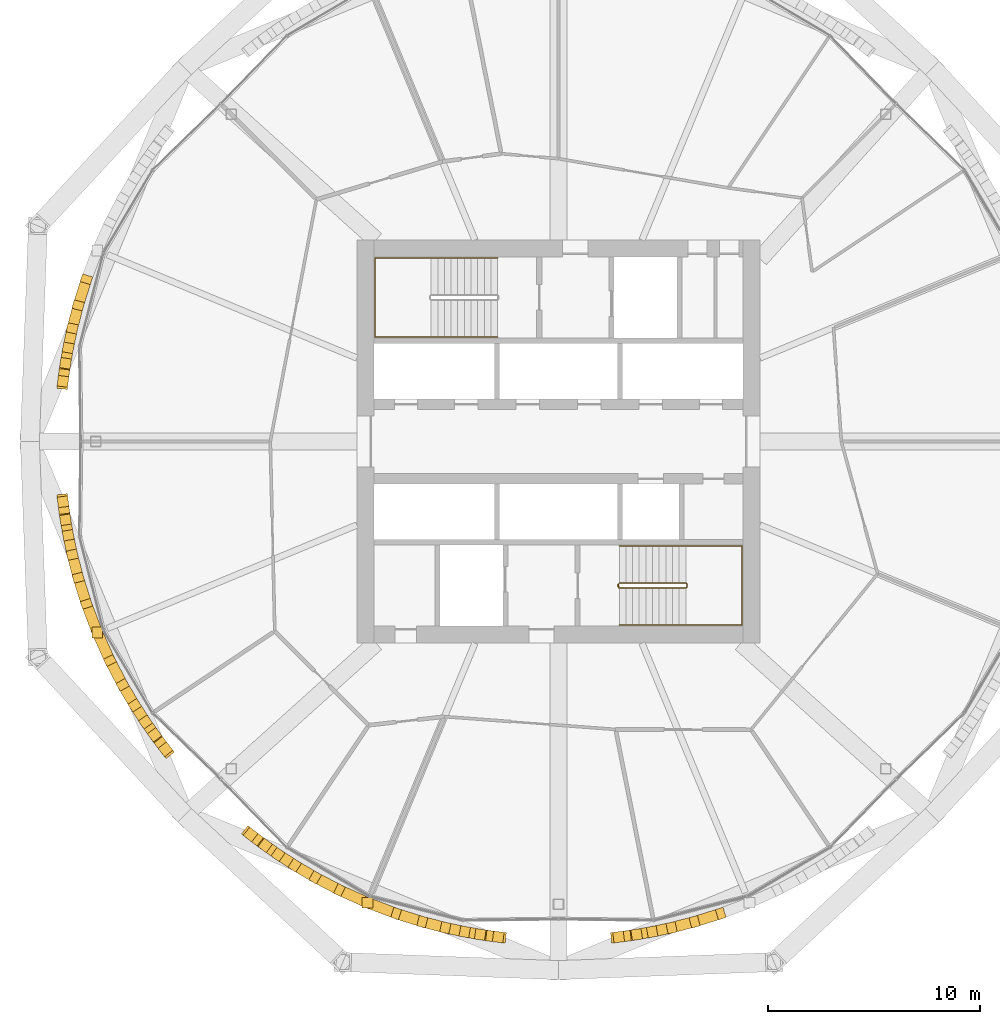
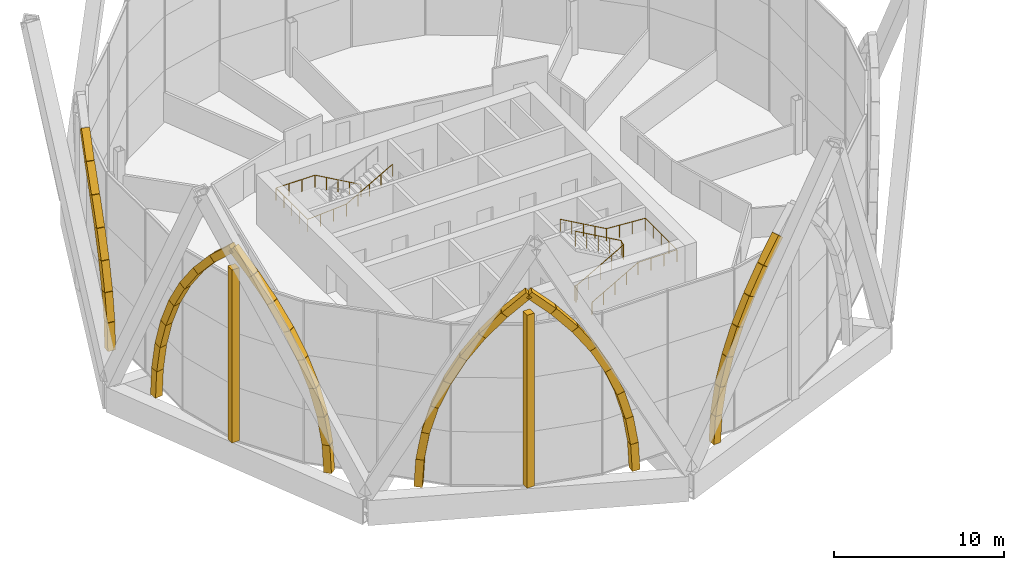
# One storey, part 33 of 37: 48 coverings, 3 railings.
"""IFC4 building model written with IfcOpenShell, lengths in metres."""

from ifc_helpers import new_model, si_unit, direction, frame, origin, origin_2d, place, context, subcontext, project, spatial, rectangle, circle, extrude, material, material_profile, profile_set, type_object, element, save


model = new_model("IFC4")

# Units and contexts
model_context = context("Model", 3, precision=1e-05, world=origin(), true_north=direction((0.0, 1.0)))
body_context = subcontext(model_context, "Body", "Model", "MODEL_VIEW")
ifc_project = project(units=[si_unit("LENGTHUNIT", "METRE"), si_unit("AREAUNIT", "SQUARE_METRE"), si_unit("VOLUMEUNIT", "CUBIC_METRE"), si_unit("PLANEANGLEUNIT", "RADIAN"), si_unit("MASSUNIT", "GRAM", prefix="KILO")], contexts=[model_context])

# Site, building, storey
site_placement = place(None, origin())
site = spatial("IfcSite", under=ifc_project, at=site_placement, CompositionType="ELEMENT")
building_placement = place(site_placement, origin())
building = spatial("IfcBuilding", under=site, at=building_placement, Name="Ogive Gate Towers", CompositionType="ELEMENT")
storey_placement = place(building_placement, frame((0.0, 0.0, 32.39990234375)))
storey = spatial("IfcBuildingStorey", under=building, at=storey_placement, Name="L06", CompositionType="ELEMENT", Elevation=32.39990234375)

# Coverings
ifc_material_1 = material(Name="Cast stone", Category="masonry")
ifc_material_profile = material_profile(ifc_material_1, rectangle(XDim=0.5, YDim=0.5, at=origin_2d()), Name="500 x 500 cast stone")
ifc_profile_set = profile_set([ifc_material_profile], Name="Cast stone")
covering_type = type_object("IfcCoveringType", Name="Portal rib 500 x 500", PredefinedType="CLADDING", material=ifc_profile_set)
covering_1_placement = place(storey_placement, frame((-59.362060546875, 2.73046875, 0.0), z_axis=(0.006554413954, 0.054414002638, 0.998496948405), x_axis=(-0.992823353566, 0.11959008577, 0.0)))
element("IfcCovering", 1, at=covering_1_placement, inside=storey, type_object=covering_type, Name="Portal rib", PredefinedType="CLADDING", context=body_context, shape_type="SweptSolid", body=[
    extrude(rectangle(XDim=0.5, YDim=0.5, at=origin_2d()), origin(), (0.0, 0.0, 1.0), 1.97412109375),
])
covering_2_placement = place(storey_placement, frame((-59.34912109375, 2.837890625, 1.97119140625), z_axis=(0.020781093371, 0.162537837441, 0.98648345022), x_axis=(-0.991925551192, 0.126821531659, 0.0)))
element("IfcCovering", 2, at=covering_2_placement, inside=storey, type_object=covering_type, Name="Portal rib", PredefinedType="CLADDING", context=body_context, shape_type="SweptSolid", body=[
    extrude(rectangle(XDim=0.5, YDim=0.5, at=origin_2d()), origin(), (0.0, 0.0, 1.0), 1.9736328125),
])
covering_3_placement = place(storey_placement, frame((-59.30810546875, 3.15869140625, 3.918212890625), z_axis=(0.039572894123, 0.267982692392, 0.962610649551), x_axis=(-0.989271984598, 0.146085387666, 0.0)))
element("IfcCovering", 3, at=covering_3_placement, inside=storey, type_object=covering_type, Name="Portal rib", PredefinedType="CLADDING", context=body_context, shape_type="SweptSolid", body=[
    extrude(rectangle(XDim=0.5, YDim=0.5, at=origin_2d()), origin(), (0.0, 0.0, 1.0), 1.97412109375),
])
for number, where, z_axis, x_axis, name in (
    (4, (-59.22998046875, 3.687744140625, 5.818603515625), (0.064444008374, 0.368975963491, 0.927202085929), (-0.98508788793, 0.172051890584, 0.0), "Portal rib"),
    (5, (-59.102783203125, 4.416015625, 7.648681640625), (0.09820777756, 0.463703977422, 0.880530438855), (-0.978299886557, 0.2071939477, 0.0), "Portal rib"),
    (6, (-58.908935546875, 5.331298828125, 9.38671875), (0.141737011266, 0.549385518361, 0.823459878714), (-0.968294335016, 0.249812090934, 0.0), "Portal rib"),
):
    element("IfcCovering", number, at=place(storey_placement, frame(where, z_axis=z_axis, x_axis=x_axis)), inside=storey, type_object=covering_type, Name=name, PredefinedType="CLADDING", context=body_context, shape_type="SweptSolid", body=[
        extrude(rectangle(XDim=0.5, YDim=0.5, at=origin_2d()), origin(), (0.0, 0.0, 1.0), 1.973876953125),
    ])
covering_4_placement = place(storey_placement, frame((-58.629150390625, 6.415771484375, 11.01220703125), z_axis=(0.19568790465, 0.624296368375, 0.756280561966), x_axis=(-0.954220576265, 0.299103814474, 0.0)))
element("IfcCovering", 7, at=covering_4_placement, inside=storey, type_object=covering_type, Name="Portal rib", PredefinedType="CLADDING", context=body_context, shape_type="SweptSolid", body=[
    extrude(rectangle(XDim=0.5, YDim=0.5, at=origin_2d()), origin(), (0.0, 0.0, 1.0), 1.9736328125),
])
covering_5_placement = place(storey_placement, frame((-54.4501953125, -14.588623046875, 0.0), z_axis=(-0.033885142799, 0.043036604722, 0.99849869692), x_axis=(-0.785691181758, -0.61861891897, 0.0)))
element("IfcCovering", 8, at=covering_5_placement, inside=storey, type_object=covering_type, Name="Portal rib", PredefinedType="CLADDING", context=body_context, shape_type="SweptSolid", body=[
    extrude(rectangle(XDim=0.5, YDim=0.5, at=origin_2d()), origin(), (0.0, 0.0, 1.0), 1.97412109375),
])
covering_6_placement = place(storey_placement, frame((-54.51708984375, -14.503662109375, 1.97119140625), z_axis=(-0.100193268805, 0.129756467872, 0.98647076385), x_axis=(-0.791500671237, -0.611168297142, 0.0)))
element("IfcCovering", 9, at=covering_6_placement, inside=storey, type_object=covering_type, Name="Portal rib", PredefinedType="CLADDING", context=body_context, shape_type="SweptSolid", body=[
    extrude(rectangle(XDim=0.5, YDim=0.5, at=origin_2d()), origin(), (0.0, 0.0, 1.0), 1.9736328125),
])
covering_7_placement = place(storey_placement, frame((-54.71484375, -14.24755859375, 3.918212890625), z_axis=(-0.161513795362, 0.217289233117, 0.962651901301), x_axis=(-0.802568885219, -0.596559455946, 0.0)))
element("IfcCovering", 10, at=covering_7_placement, inside=storey, type_object=covering_type, Name="Portal rib", PredefinedType="CLADDING", context=body_context, shape_type="SweptSolid", body=[
    extrude(rectangle(XDim=0.5, YDim=0.5, at=origin_2d()), origin(), (0.0, 0.0, 1.0), 1.97412109375),
])
for number, where, z_axis, x_axis, name in (
    (11, (-55.03369140625, -13.818603515625, 5.818603515625), (-0.215338175498, 0.306618803595, 0.927153913574), (-0.818346956736, -0.574724506526, 0.0), "Portal rib"),
    (12, (-55.458740234375, -13.21337890625, 7.648681640625), (-0.258391967915, 0.397297750571, 0.880561234843), (-0.838300478539, -0.545208499274, 0.0), "Portal rib"),
    (13, (-55.96875, -12.42919921875, 9.38671875), (-0.288299116588, 0.488661436996, 0.82346440079), (-0.861277843819, -0.508134308768, 0.0), "Portal rib"),
):
    element("IfcCovering", number, at=place(storey_placement, frame(where, z_axis=z_axis, x_axis=x_axis)), inside=storey, type_object=covering_type, Name=name, PredefinedType="CLADDING", context=body_context, shape_type="SweptSolid", body=[
        extrude(rectangle(XDim=0.5, YDim=0.5, at=origin_2d()), origin(), (0.0, 0.0, 1.0), 1.973876953125),
    ])
covering_8_placement = place(storey_placement, frame((-56.537841796875, -11.464599609375, 11.01220703125), z_axis=(-0.303066839852, 0.57978541975, 0.75630639137), x_axis=(-0.886227208209, -0.463250834246, 0.0)))
element("IfcCovering", 14, at=covering_8_placement, inside=storey, type_object=covering_type, Name="Portal rib", PredefinedType="CLADDING", context=body_context, shape_type="SweptSolid", body=[
    extrude(rectangle(XDim=0.5, YDim=0.5, at=origin_2d()), origin(), (0.0, 0.0, 1.0), 1.9736328125),
])
covering_9_placement = place(storey_placement, frame((-57.135986328125, -10.3203125, 12.5048828125), z_axis=(-0.301302663091, 0.668283369737, 0.680157366312), x_axis=(-0.911627667131, -0.411017027046, 0.0)))
element("IfcCovering", 15, at=covering_9_placement, inside=storey, type_object=covering_type, Name="Portal rib", PredefinedType="CLADDING", context=body_context, shape_type="SweptSolid", body=[
    extrude(rectangle(XDim=0.5, YDim=0.5, at=origin_2d()), origin(), (0.0, 0.0, 1.0), 1.973876953125),
])
covering_10_placement = place(storey_placement, frame((-59.362060546875, -2.73046875, 0.0), z_axis=(0.006554413954, -0.054414002638, 0.998496948405), x_axis=(0.992823353566, 0.11959008577, 0.0)))
element("IfcCovering", 16, at=covering_10_placement, inside=storey, type_object=covering_type, Name="Portal rib", PredefinedType="CLADDING", context=body_context, shape_type="SweptSolid", body=[
    extrude(rectangle(XDim=0.5, YDim=0.5, at=origin_2d()), origin(), (0.0, 0.0, 1.0), 1.97412109375),
])
covering_11_placement = place(storey_placement, frame((-59.34912109375, -2.837890625, 1.97119140625), z_axis=(0.020781093371, -0.162537837441, 0.98648345022), x_axis=(0.991925551192, 0.126821531659, 0.0)))
element("IfcCovering", 17, at=covering_11_placement, inside=storey, type_object=covering_type, Name="Portal rib", PredefinedType="CLADDING", context=body_context, shape_type="SweptSolid", body=[
    extrude(rectangle(XDim=0.5, YDim=0.5, at=origin_2d()), origin(), (0.0, 0.0, 1.0), 1.9736328125),
])
covering_12_placement = place(storey_placement, frame((-59.30810546875, -3.15869140625, 3.918212890625), z_axis=(0.039572894123, -0.267982692392, 0.962610649551), x_axis=(0.989271984598, 0.146085387666, 0.0)))
element("IfcCovering", 18, at=covering_12_placement, inside=storey, type_object=covering_type, Name="Portal rib", PredefinedType="CLADDING", context=body_context, shape_type="SweptSolid", body=[
    extrude(rectangle(XDim=0.5, YDim=0.5, at=origin_2d()), origin(), (0.0, 0.0, 1.0), 1.97412109375),
])
for number, where, z_axis, x_axis, name in (
    (19, (-59.22998046875, -3.687744140625, 5.818603515625), (0.064444008374, -0.368975963491, 0.927202085929), (0.98508788793, 0.172051890584, 0.0), "Portal rib"),
    (20, (-59.102783203125, -4.416015625, 7.648681640625), (0.09820777756, -0.463703977422, 0.880530438855), (0.978299886557, 0.2071939477, 0.0), "Portal rib"),
    (21, (-58.908935546875, -5.331298828125, 9.38671875), (0.141737011266, -0.549385518361, 0.823459878714), (0.968294335016, 0.249812090934, 0.0), "Portal rib"),
):
    element("IfcCovering", number, at=place(storey_placement, frame(where, z_axis=z_axis, x_axis=x_axis)), inside=storey, type_object=covering_type, Name=name, PredefinedType="CLADDING", context=body_context, shape_type="SweptSolid", body=[
        extrude(rectangle(XDim=0.5, YDim=0.5, at=origin_2d()), origin(), (0.0, 0.0, 1.0), 1.973876953125),
    ])
covering_13_placement = place(storey_placement, frame((-58.629150390625, -6.415771484375, 11.01220703125), z_axis=(0.19568790465, -0.624296368375, 0.756280561966), x_axis=(0.954220576265, 0.299103814474, 0.0)))
element("IfcCovering", 22, at=covering_13_placement, inside=storey, type_object=covering_type, Name="Portal rib", PredefinedType="CLADDING", context=body_context, shape_type="SweptSolid", body=[
    extrude(rectangle(XDim=0.5, YDim=0.5, at=origin_2d()), origin(), (0.0, 0.0, 1.0), 1.9736328125),
])
covering_14_placement = place(storey_placement, frame((-58.242919921875, -7.64794921875, 12.5048828125), z_axis=(0.259496403368, -0.685599887448, 0.680157636853), x_axis=(0.935250027607, 0.353987832928, 0.0)))
element("IfcCovering", 23, at=covering_14_placement, inside=storey, type_object=covering_type, Name="Portal rib", PredefinedType="CLADDING", context=body_context, shape_type="SweptSolid", body=[
    extrude(rectangle(XDim=0.5, YDim=0.5, at=origin_2d()), origin(), (0.0, 0.0, 1.0), 1.973876953125),
])
covering_15_placement = place(storey_placement, frame((-57.730712890625, -9.001220703125, 0.0), z_axis=(0.0, 0.0, 1.0), x_axis=(1.0, 0.0, 0.0)))
element("IfcCovering", 24, at=covering_15_placement, inside=storey, type_object=covering_type, Name="Portal mullion", PredefinedType="CLADDING", context=body_context, shape_type="SweptSolid", body=[
    extrude(rectangle(XDim=0.5, YDim=0.5, at=origin_2d()), origin(), (0.0, 0.0, 1.0), 12.447509765625),
])
covering_16_placement = place(storey_placement, frame((-38.73046875, -23.362060546875, 0.0), z_axis=(-0.054414002638, 0.006554413954, 0.998496948405), x_axis=(-0.11959008577, -0.992823353566, 0.0)))
element("IfcCovering", 25, at=covering_16_placement, inside=storey, type_object=covering_type, Name="Portal rib", PredefinedType="CLADDING", context=body_context, shape_type="SweptSolid", body=[
    extrude(rectangle(XDim=0.5, YDim=0.5, at=origin_2d()), origin(), (0.0, 0.0, 1.0), 1.97412109375),
])
covering_17_placement = place(storey_placement, frame((-38.837890625, -23.34912109375, 1.97119140625), z_axis=(-0.162537837441, 0.020781093371, 0.98648345022), x_axis=(-0.126821531659, -0.991925551192, 0.0)))
element("IfcCovering", 26, at=covering_17_placement, inside=storey, type_object=covering_type, Name="Portal rib", PredefinedType="CLADDING", context=body_context, shape_type="SweptSolid", body=[
    extrude(rectangle(XDim=0.5, YDim=0.5, at=origin_2d()), origin(), (0.0, 0.0, 1.0), 1.9736328125),
])
covering_18_placement = place(storey_placement, frame((-39.15869140625, -23.30810546875, 3.918212890625), z_axis=(-0.267982692392, 0.039572894123, 0.962610649551), x_axis=(-0.146085387666, -0.989271984598, 0.0)))
element("IfcCovering", 27, at=covering_18_placement, inside=storey, type_object=covering_type, Name="Portal rib", PredefinedType="CLADDING", context=body_context, shape_type="SweptSolid", body=[
    extrude(rectangle(XDim=0.5, YDim=0.5, at=origin_2d()), origin(), (0.0, 0.0, 1.0), 1.97412109375),
])
for number, where, z_axis, x_axis, name in (
    (28, (-39.687744140625, -23.22998046875, 5.818603515625), (-0.368975963491, 0.064444008374, 0.927202085929), (-0.172051890584, -0.98508788793, 0.0), "Portal rib"),
    (29, (-40.416015625, -23.102783203125, 7.648681640625), (-0.463703977422, 0.09820777756, 0.880530438855), (-0.2071939477, -0.978299886557, 0.0), "Portal rib"),
    (30, (-41.331298828125, -22.908935546875, 9.38671875), (-0.549385518361, 0.141737011266, 0.823459878714), (-0.249812090934, -0.968294335016, 0.0), "Portal rib"),
):
    element("IfcCovering", number, at=place(storey_placement, frame(where, z_axis=z_axis, x_axis=x_axis)), inside=storey, type_object=covering_type, Name=name, PredefinedType="CLADDING", context=body_context, shape_type="SweptSolid", body=[
        extrude(rectangle(XDim=0.5, YDim=0.5, at=origin_2d()), origin(), (0.0, 0.0, 1.0), 1.973876953125),
    ])
covering_19_placement = place(storey_placement, frame((-42.415771484375, -22.629150390625, 11.01220703125), z_axis=(-0.624296368375, 0.19568790465, 0.756280561966), x_axis=(-0.299103814474, -0.954220576265, 0.0)))
element("IfcCovering", 31, at=covering_19_placement, inside=storey, type_object=covering_type, Name="Portal rib", PredefinedType="CLADDING", context=body_context, shape_type="SweptSolid", body=[
    extrude(rectangle(XDim=0.5, YDim=0.5, at=origin_2d()), origin(), (0.0, 0.0, 1.0), 1.9736328125),
])
covering_20_placement = place(storey_placement, frame((-43.64794921875, -22.242919921875, 12.5048828125), z_axis=(-0.685599887448, 0.259496403368, 0.680157636853), x_axis=(-0.353987832928, -0.935250027607, 0.0)))
element("IfcCovering", 32, at=covering_20_placement, inside=storey, type_object=covering_type, Name="Portal rib", PredefinedType="CLADDING", context=body_context, shape_type="SweptSolid", body=[
    extrude(rectangle(XDim=0.5, YDim=0.5, at=origin_2d()), origin(), (0.0, 0.0, 1.0), 1.973876953125),
])
covering_21_placement = place(storey_placement, frame((-50.588623046875, -18.4501953125, 0.0), z_axis=(0.043036604722, -0.033885142799, 0.99849869692), x_axis=(0.61861891897, 0.785691181758, 0.0)))
element("IfcCovering", 33, at=covering_21_placement, inside=storey, type_object=covering_type, Name="Portal rib", PredefinedType="CLADDING", context=body_context, shape_type="SweptSolid", body=[
    extrude(rectangle(XDim=0.5, YDim=0.5, at=origin_2d()), origin(), (0.0, 0.0, 1.0), 1.97412109375),
])
covering_22_placement = place(storey_placement, frame((-50.503662109375, -18.51708984375, 1.97119140625), z_axis=(0.129756467872, -0.100193268805, 0.98647076385), x_axis=(0.611168297142, 0.791500671237, 0.0)))
element("IfcCovering", 34, at=covering_22_placement, inside=storey, type_object=covering_type, Name="Portal rib", PredefinedType="CLADDING", context=body_context, shape_type="SweptSolid", body=[
    extrude(rectangle(XDim=0.5, YDim=0.5, at=origin_2d()), origin(), (0.0, 0.0, 1.0), 1.9736328125),
])
covering_23_placement = place(storey_placement, frame((-50.24755859375, -18.71484375, 3.918212890625), z_axis=(0.217289233117, -0.161513795362, 0.962651901301), x_axis=(0.596559455946, 0.802568885219, 0.0)))
element("IfcCovering", 35, at=covering_23_placement, inside=storey, type_object=covering_type, Name="Portal rib", PredefinedType="CLADDING", context=body_context, shape_type="SweptSolid", body=[
    extrude(rectangle(XDim=0.5, YDim=0.5, at=origin_2d()), origin(), (0.0, 0.0, 1.0), 1.97412109375),
])
for number, where, z_axis, x_axis, name in (
    (36, (-49.818603515625, -19.03369140625, 5.818603515625), (0.306618803595, -0.215338175498, 0.927153913574), (0.574724506526, 0.818346956736, 0.0), "Portal rib"),
    (37, (-49.21337890625, -19.458740234375, 7.648681640625), (0.397297750571, -0.258391967915, 0.880561234843), (0.545208499274, 0.838300478539, 0.0), "Portal rib"),
    (38, (-48.42919921875, -19.96875, 9.38671875), (0.488661436996, -0.288299116588, 0.82346440079), (0.508134308768, 0.861277843819, 0.0), "Portal rib"),
):
    element("IfcCovering", number, at=place(storey_placement, frame(where, z_axis=z_axis, x_axis=x_axis)), inside=storey, type_object=covering_type, Name=name, PredefinedType="CLADDING", context=body_context, shape_type="SweptSolid", body=[
        extrude(rectangle(XDim=0.5, YDim=0.5, at=origin_2d()), origin(), (0.0, 0.0, 1.0), 1.973876953125),
    ])
covering_24_placement = place(storey_placement, frame((-47.464599609375, -20.537841796875, 11.01220703125), z_axis=(0.57978541975, -0.303066839852, 0.75630639137), x_axis=(0.463250834246, 0.886227208209, 0.0)))
element("IfcCovering", 39, at=covering_24_placement, inside=storey, type_object=covering_type, Name="Portal rib", PredefinedType="CLADDING", context=body_context, shape_type="SweptSolid", body=[
    extrude(rectangle(XDim=0.5, YDim=0.5, at=origin_2d()), origin(), (0.0, 0.0, 1.0), 1.9736328125),
])
covering_25_placement = place(storey_placement, frame((-46.3203125, -21.135986328125, 12.5048828125), z_axis=(0.668283369737, -0.301302663091, 0.680157366312), x_axis=(0.411017027046, 0.911627667131, 0.0)))
element("IfcCovering", 40, at=covering_25_placement, inside=storey, type_object=covering_type, Name="Portal rib", PredefinedType="CLADDING", context=body_context, shape_type="SweptSolid", body=[
    extrude(rectangle(XDim=0.5, YDim=0.5, at=origin_2d()), origin(), (0.0, 0.0, 1.0), 1.973876953125),
])
covering_26_placement = place(storey_placement, frame((-45.001220703125, -21.730712890625, 0.0), z_axis=(0.0, 0.0, 1.0), x_axis=(1.0, 0.0, 0.0)))
element("IfcCovering", 41, at=covering_26_placement, inside=storey, type_object=covering_type, Name="Portal mullion", PredefinedType="CLADDING", context=body_context, shape_type="SweptSolid", body=[
    extrude(rectangle(XDim=0.5, YDim=0.5, at=origin_2d()), origin(), (0.0, 0.0, 1.0), 12.447509765625),
])
covering_27_placement = place(storey_placement, frame((-33.26953125, -23.362060546875, 0.0), z_axis=(0.054414002638, 0.006554413954, 0.998496948405), x_axis=(-0.11959008577, 0.992823353566, 0.0)))
element("IfcCovering", 42, at=covering_27_placement, inside=storey, type_object=covering_type, Name="Portal rib", PredefinedType="CLADDING", context=body_context, shape_type="SweptSolid", body=[
    extrude(rectangle(XDim=0.5, YDim=0.5, at=origin_2d()), origin(), (0.0, 0.0, 1.0), 1.97412109375),
])
covering_28_placement = place(storey_placement, frame((-33.162109375, -23.34912109375, 1.97119140625), z_axis=(0.162537837441, 0.020781093371, 0.98648345022), x_axis=(-0.126821531659, 0.991925551192, 0.0)))
element("IfcCovering", 43, at=covering_28_placement, inside=storey, type_object=covering_type, Name="Portal rib", PredefinedType="CLADDING", context=body_context, shape_type="SweptSolid", body=[
    extrude(rectangle(XDim=0.5, YDim=0.5, at=origin_2d()), origin(), (0.0, 0.0, 1.0), 1.9736328125),
])
covering_29_placement = place(storey_placement, frame((-32.84130859375, -23.30810546875, 3.918212890625), z_axis=(0.267982692392, 0.039572894123, 0.962610649551), x_axis=(-0.146085387666, 0.989271984598, 0.0)))
element("IfcCovering", 44, at=covering_29_placement, inside=storey, type_object=covering_type, Name="Portal rib", PredefinedType="CLADDING", context=body_context, shape_type="SweptSolid", body=[
    extrude(rectangle(XDim=0.5, YDim=0.5, at=origin_2d()), origin(), (0.0, 0.0, 1.0), 1.97412109375),
])
for number, where, z_axis, x_axis, name in (
    (45, (-32.312255859375, -23.22998046875, 5.818603515625), (0.368975963491, 0.064444008374, 0.927202085929), (-0.172051890584, 0.98508788793, 0.0), "Portal rib"),
    (46, (-31.583984375, -23.102783203125, 7.648681640625), (0.463703977422, 0.09820777756, 0.880530438855), (-0.2071939477, 0.978299886557, 0.0), "Portal rib"),
    (47, (-30.668701171875, -22.908935546875, 9.38671875), (0.549385518361, 0.141737011266, 0.823459878714), (-0.249812090934, 0.968294335016, 0.0), "Portal rib"),
):
    element("IfcCovering", number, at=place(storey_placement, frame(where, z_axis=z_axis, x_axis=x_axis)), inside=storey, type_object=covering_type, Name=name, PredefinedType="CLADDING", context=body_context, shape_type="SweptSolid", body=[
        extrude(rectangle(XDim=0.5, YDim=0.5, at=origin_2d()), origin(), (0.0, 0.0, 1.0), 1.973876953125),
    ])
covering_30_placement = place(storey_placement, frame((-29.584228515625, -22.629150390625, 11.01220703125), z_axis=(0.624296368375, 0.19568790465, 0.756280561966), x_axis=(-0.299103814474, 0.954220576265, 0.0)))
element("IfcCovering", 48, at=covering_30_placement, inside=storey, type_object=covering_type, Name="Portal rib", PredefinedType="CLADDING", context=body_context, shape_type="SweptSolid", body=[
    extrude(rectangle(XDim=0.5, YDim=0.5, at=origin_2d()), origin(), (0.0, 0.0, 1.0), 1.9736328125),
])

# Railings
ifc_material_2 = material(Name="Stainless steel", Category="steel")
railing_type_1 = type_object("IfcRailingType", Name="Stair guard 1100", PredefinedType="GUARDRAIL", material=ifc_material_2)
railing_1_placement = place(storey_placement, frame((-33.18505859375, -6.860107421875, 0.0)))
element("IfcRailing", 49, at=railing_1_placement, inside=storey, type_object=railing_type_1, Name="L06 ST2 stair guard 1", PredefinedType="GUARDRAIL", context=body_context, shape_type="SweptSolid", body=[
    extrude(circle(Radius=0.02392578125, at=origin_2d()), frame((0.0, 0.0, 1.076171875), z_axis=(0.0, 1.0, 0.0), x_axis=(-1.0, 0.0, 0.0)), (0.0, 0.0, 1.0), 0.14501953125),
    extrude(circle(Radius=0.02392578125, at=origin_2d()), frame((0.0, 0.14501953125, 1.076171875), z_axis=(0.186567429962, -0.726247849316, 0.661631812598), x_axis=(0.968551454522, 0.24881334358, 0.0)), (0.0, 0.0, 1.0), 0.268310546875),
    extrude(circle(Radius=0.02392578125, at=origin_2d()), frame((0.050048828125, -0.0498046875, 1.25341796875), z_axis=(0.870572935281, 0.0, 0.492039393094), x_axis=(0.0, 1.0, 0.0)), (0.0, 0.0, 1.0), 3.602783203125),
    extrude(circle(Radius=0.02392578125, at=origin_2d()), frame((3.1865234375, -0.0498046875, 3.0263671875), z_axis=(0.707106781187, 0.707106781187, 0.0), x_axis=(-0.707106781187, 0.707106781187, 0.0)), (0.0, 0.0, 1.0), 0.0703125),
    extrude(circle(Radius=0.02392578125, at=origin_2d()), frame((3.236328125, 0.0, 3.0263671875), z_axis=(0.0, 1.0, 0.0), x_axis=(-1.0, 0.0, 0.0)), (0.0, 0.0, 1.0), 0.14501953125),
    extrude(circle(Radius=0.02392578125, at=origin_2d()), frame((3.236328125, 0.14501953125, 3.0263671875), z_axis=(-0.261041864531, 0.262321481514, 0.929001929653), x_axis=(-0.708833529934, -0.705375805398, 0.0)), (0.0, 0.0, 1.0), 0.190673828125),
    extrude(circle(Radius=0.02392578125, at=origin_2d()), frame((3.1865234375, 0.195068359375, 3.20361328125), z_axis=(-0.870572935281, 0.0, 0.492039393094), x_axis=(0.0, -1.0, 0.0)), (0.0, 0.0, 1.0), 3.602783203125),
    extrude(circle(Radius=0.02099609375, at=origin_2d()), origin(), (0.0, 0.0, 1.0), 1.052001953125),
    extrude(circle(Radius=0.02099609375, at=origin_2d()), frame((0.0, 0.14501953125, 0.0)), (0.0, 0.0, 1.0), 1.052001953125),
    extrude(circle(Radius=0.02099609375, at=origin_2d()), frame((0.050048828125, -0.0498046875, 0.177490234375)), (0.0, 0.0, 1.0), 1.052001953125),
    extrude(circle(Radius=0.02099609375, at=origin_2d()), frame((0.834228515625, -0.0498046875, 0.62060546875)), (0.0, 0.0, 1.0), 1.052001953125),
    extrude(circle(Radius=0.02099609375, at=origin_2d()), frame((1.6181640625, -0.0498046875, 1.06396484375)), (0.0, 0.0, 1.0), 1.052001953125),
    extrude(circle(Radius=0.02099609375, at=origin_2d()), frame((2.40234375, -0.0498046875, 1.507080078125)), (0.0, 0.0, 1.0), 1.052001953125),
    extrude(circle(Radius=0.02099609375, at=origin_2d()), frame((3.1865234375, -0.0498046875, 1.9501953125)), (0.0, 0.0, 1.0), 1.052001953125),
    extrude(circle(Radius=0.02099609375, at=origin_2d()), frame((3.236328125, 0.0, 1.9501953125)), (0.0, 0.0, 1.0), 1.052001953125),
    extrude(circle(Radius=0.02099609375, at=origin_2d()), frame((3.236328125, 0.14501953125, 1.9501953125)), (0.0, 0.0, 1.0), 1.052001953125),
    extrude(circle(Radius=0.02099609375, at=origin_2d()), frame((3.1865234375, 0.195068359375, 2.12744140625)), (0.0, 0.0, 1.0), 1.052001953125),
    extrude(circle(Radius=0.02099609375, at=origin_2d()), frame((2.40234375, 0.195068359375, 2.570556640625)), (0.0, 0.0, 1.0), 1.052001953125),
    extrude(circle(Radius=0.02099609375, at=origin_2d()), frame((1.6181640625, 0.195068359375, 3.013671875)), (0.0, 0.0, 1.0), 1.052001953125),
    extrude(circle(Radius=0.02099609375, at=origin_2d()), frame((0.834228515625, 0.195068359375, 3.45703125)), (0.0, 0.0, 1.0), 1.052001953125),
    extrude(circle(Radius=0.02099609375, at=origin_2d()), frame((0.050048828125, 0.195068359375, 3.900146484375)), (0.0, 0.0, 1.0), 1.052001953125),
])
railing_type_2 = type_object("IfcRailingType", Name="Stair handrail 900", PredefinedType="HANDRAIL", material=ifc_material_2)
railing_2_placement = place(storey_placement, frame((-38.864990234375, 8.64990234375, 0.177490234375)))
element("IfcRailing", 50, at=railing_2_placement, inside=storey, type_object=railing_type_2, Name="L06 ST1 stair handrail 1", PredefinedType="HANDRAIL", context=body_context, shape_type="SweptSolid", body=[
    extrude(circle(Radius=0.02392578125, at=origin_2d()), frame((0.0, 0.0, 0.8759765625), z_axis=(-0.870572935281, 0.0, 0.492039393094), x_axis=(0.0, -1.0, 0.0)), (0.0, 0.0, 1.0), 3.602783203125),
    extrude(circle(Radius=0.02392578125, at=origin_2d()), frame((-3.136474609375, 0.0, 2.6484375), z_axis=(-1.0, 0.0, 0.0), x_axis=(0.0, -1.0, 0.0)), (0.0, 0.0, 1.0), 2.6484375),
    extrude(circle(Radius=0.02392578125, at=origin_2d()), frame((-5.784912109375, 0.0, 2.6484375), z_axis=(0.0, -1.0, 0.0), x_axis=(1.0, 0.0, 0.0)), (0.0, 0.0, 1.0), 3.724853515625),
    extrude(circle(Radius=0.02392578125, at=origin_2d()), frame((-5.784912109375, -3.724853515625, 2.6484375), z_axis=(0.997768031817, 0.0, 0.066775404784), x_axis=(0.0, 1.0, 0.0)), (0.0, 0.0, 1.0), 2.654296875),
    extrude(circle(Radius=0.02392578125, at=origin_2d()), frame((-3.136474609375, -3.724853515625, 2.82568359375), z_axis=(0.870572935281, 0.0, 0.492039393094), x_axis=(0.0, 1.0, 0.0)), (0.0, 0.0, 1.0), 3.602783203125),
    extrude(circle(Radius=0.02099609375, at=origin_2d()), origin(), (0.0, 0.0, 1.0), 0.851806640625),
    extrude(circle(Radius=0.02099609375, at=origin_2d()), frame((-0.7841796875, 0.0, 0.443115234375)), (0.0, 0.0, 1.0), 0.851806640625),
    extrude(circle(Radius=0.02099609375, at=origin_2d()), frame((-1.568359375, 0.0, 0.88623046875)), (0.0, 0.0, 1.0), 0.851806640625),
    extrude(circle(Radius=0.02099609375, at=origin_2d()), frame((-2.352294921875, 0.0, 1.32958984375)), (0.0, 0.0, 1.0), 0.851806640625),
    extrude(circle(Radius=0.02099609375, at=origin_2d()), frame((-3.136474609375, 0.0, 1.772705078125)), (0.0, 0.0, 1.0), 0.851806640625),
    extrude(circle(Radius=0.02099609375, at=origin_2d()), frame((-4.019287109375, 0.0, 1.772705078125)), (0.0, 0.0, 1.0), 0.851806640625),
    extrude(circle(Radius=0.02099609375, at=origin_2d()), frame((-4.902099609375, 0.0, 1.772705078125)), (0.0, 0.0, 1.0), 0.851806640625),
    extrude(circle(Radius=0.02099609375, at=origin_2d()), frame((-5.784912109375, 0.0, 1.772705078125)), (0.0, 0.0, 1.0), 0.851806640625),
    extrude(circle(Radius=0.02099609375, at=origin_2d()), frame((-5.784912109375, -0.93115234375, 1.772705078125)), (0.0, 0.0, 1.0), 0.851806640625),
    extrude(circle(Radius=0.02099609375, at=origin_2d()), frame((-5.784912109375, -1.8623046875, 1.772705078125)), (0.0, 0.0, 1.0), 0.851806640625),
    extrude(circle(Radius=0.02099609375, at=origin_2d()), frame((-5.784912109375, -2.793701171875, 1.772705078125)), (0.0, 0.0, 1.0), 0.851806640625),
    extrude(circle(Radius=0.02099609375, at=origin_2d()), frame((-5.784912109375, -3.724853515625, 1.772705078125)), (0.0, 0.0, 1.0), 0.851806640625),
    extrude(circle(Radius=0.02099609375, at=origin_2d()), frame((-4.902099609375, -3.724853515625, 1.831787109375)), (0.0, 0.0, 1.0), 0.851806640625),
    extrude(circle(Radius=0.02099609375, at=origin_2d()), frame((-4.019287109375, -3.724853515625, 1.890869140625)), (0.0, 0.0, 1.0), 0.851806640625),
    extrude(circle(Radius=0.02099609375, at=origin_2d()), frame((-3.136474609375, -3.724853515625, 1.949951171875)), (0.0, 0.0, 1.0), 0.851806640625),
    extrude(circle(Radius=0.02099609375, at=origin_2d()), frame((-2.352294921875, -3.724853515625, 2.39306640625)), (0.0, 0.0, 1.0), 0.851806640625),
    extrude(circle(Radius=0.02099609375, at=origin_2d()), frame((-1.568359375, -3.724853515625, 2.83642578125)), (0.0, 0.0, 1.0), 0.851806640625),
    extrude(circle(Radius=0.02099609375, at=origin_2d()), frame((-0.7841796875, -3.724853515625, 3.279541015625)), (0.0, 0.0, 1.0), 0.851806640625),
    extrude(circle(Radius=0.02099609375, at=origin_2d()), frame((0.0, -3.724853515625, 3.72265625)), (0.0, 0.0, 1.0), 0.851806640625),
])
railing_3_placement = place(storey_placement, frame((-33.135009765625, -8.64990234375, 0.177490234375)))
element("IfcRailing", 51, at=railing_3_placement, inside=storey, type_object=railing_type_2, Name="L06 ST2 stair handrail 1", PredefinedType="HANDRAIL", context=body_context, shape_type="SweptSolid", body=[
    extrude(circle(Radius=0.02392578125, at=origin_2d()), frame((0.0, 0.0, 0.8759765625), z_axis=(0.870572935281, 0.0, 0.492039393094), x_axis=(0.0, 1.0, 0.0)), (0.0, 0.0, 1.0), 3.602783203125),
    extrude(circle(Radius=0.02392578125, at=origin_2d()), frame((3.136474609375, 0.0, 2.6484375), z_axis=(1.0, 0.0, 0.0), x_axis=(0.0, 1.0, 0.0)), (0.0, 0.0, 1.0), 2.6484375),
    extrude(circle(Radius=0.02392578125, at=origin_2d()), frame((5.784912109375, 0.0, 2.6484375), z_axis=(0.0, 1.0, 0.0), x_axis=(-1.0, 0.0, 0.0)), (0.0, 0.0, 1.0), 3.724853515625),
    extrude(circle(Radius=0.02392578125, at=origin_2d()), frame((5.784912109375, 3.724853515625, 2.6484375), z_axis=(-0.997768031817, 0.0, 0.066775404784), x_axis=(0.0, -1.0, 0.0)), (0.0, 0.0, 1.0), 2.654296875),
    extrude(circle(Radius=0.02392578125, at=origin_2d()), frame((3.136474609375, 3.724853515625, 2.82568359375), z_axis=(-0.870572935281, 0.0, 0.492039393094), x_axis=(0.0, -1.0, 0.0)), (0.0, 0.0, 1.0), 3.602783203125),
    extrude(circle(Radius=0.02099609375, at=origin_2d()), origin(), (0.0, 0.0, 1.0), 0.851806640625),
    extrude(circle(Radius=0.02099609375, at=origin_2d()), frame((0.7841796875, 0.0, 0.443115234375)), (0.0, 0.0, 1.0), 0.851806640625),
    extrude(circle(Radius=0.02099609375, at=origin_2d()), frame((1.568359375, 0.0, 0.88623046875)), (0.0, 0.0, 1.0), 0.851806640625),
    extrude(circle(Radius=0.02099609375, at=origin_2d()), frame((2.352294921875, 0.0, 1.32958984375)), (0.0, 0.0, 1.0), 0.851806640625),
    extrude(circle(Radius=0.02099609375, at=origin_2d()), frame((3.136474609375, 0.0, 1.772705078125)), (0.0, 0.0, 1.0), 0.851806640625),
    extrude(circle(Radius=0.02099609375, at=origin_2d()), frame((4.019287109375, 0.0, 1.772705078125)), (0.0, 0.0, 1.0), 0.851806640625),
    extrude(circle(Radius=0.02099609375, at=origin_2d()), frame((4.902099609375, 0.0, 1.772705078125)), (0.0, 0.0, 1.0), 0.851806640625),
    extrude(circle(Radius=0.02099609375, at=origin_2d()), frame((5.784912109375, 0.0, 1.772705078125)), (0.0, 0.0, 1.0), 0.851806640625),
    extrude(circle(Radius=0.02099609375, at=origin_2d()), frame((5.784912109375, 0.93115234375, 1.772705078125)), (0.0, 0.0, 1.0), 0.851806640625),
    extrude(circle(Radius=0.02099609375, at=origin_2d()), frame((5.784912109375, 1.8623046875, 1.772705078125)), (0.0, 0.0, 1.0), 0.851806640625),
    extrude(circle(Radius=0.02099609375, at=origin_2d()), frame((5.784912109375, 2.793701171875, 1.772705078125)), (0.0, 0.0, 1.0), 0.851806640625),
    extrude(circle(Radius=0.02099609375, at=origin_2d()), frame((5.784912109375, 3.724853515625, 1.772705078125)), (0.0, 0.0, 1.0), 0.851806640625),
    extrude(circle(Radius=0.02099609375, at=origin_2d()), frame((4.902099609375, 3.724853515625, 1.831787109375)), (0.0, 0.0, 1.0), 0.851806640625),
    extrude(circle(Radius=0.02099609375, at=origin_2d()), frame((4.019287109375, 3.724853515625, 1.890869140625)), (0.0, 0.0, 1.0), 0.851806640625),
    extrude(circle(Radius=0.02099609375, at=origin_2d()), frame((3.136474609375, 3.724853515625, 1.949951171875)), (0.0, 0.0, 1.0), 0.851806640625),
    extrude(circle(Radius=0.02099609375, at=origin_2d()), frame((2.352294921875, 3.724853515625, 2.39306640625)), (0.0, 0.0, 1.0), 0.851806640625),
    extrude(circle(Radius=0.02099609375, at=origin_2d()), frame((1.568359375, 3.724853515625, 2.83642578125)), (0.0, 0.0, 1.0), 0.851806640625),
    extrude(circle(Radius=0.02099609375, at=origin_2d()), frame((0.7841796875, 3.724853515625, 3.279541015625)), (0.0, 0.0, 1.0), 0.851806640625),
    extrude(circle(Radius=0.02099609375, at=origin_2d()), frame((0.0, 3.724853515625, 3.72265625)), (0.0, 0.0, 1.0), 0.851806640625),
])

save(model, "model.ifc")
